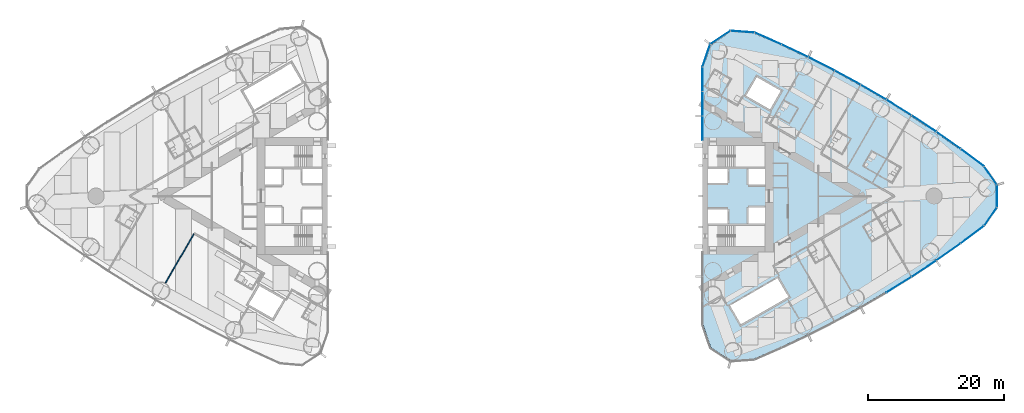
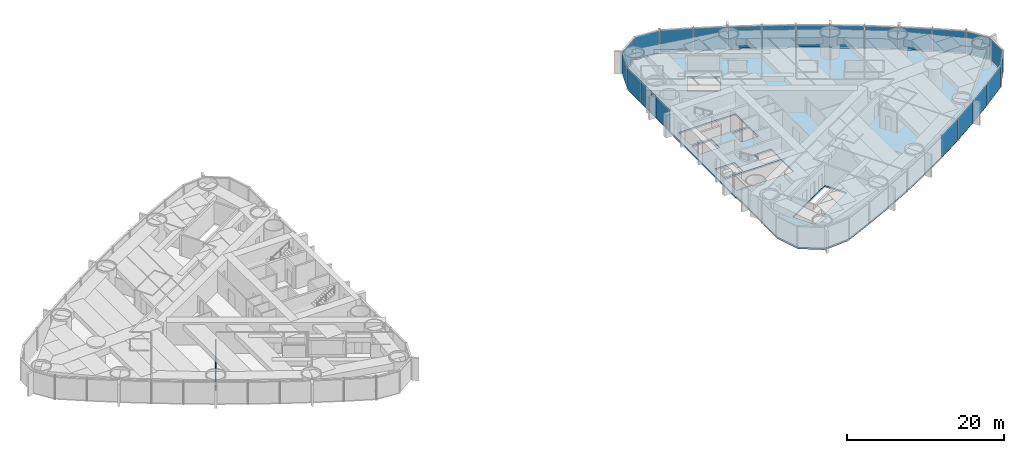
# One storey, part 10 of 18: 22 plates, 1 slab, 1 wall, 1 element without a shape of its own.
"""IFC4 building model written with IfcOpenShell, lengths in metres."""

from ifc_helpers import new_model, si_unit, direction, frame, frame_2d, origin, origin_2d, place, context, subcontext, project, spatial, polyline, rectangle, outline, extrude, material, layer, layer_set, type_object, element, aggregate, save


model = new_model("IFC4")

# Units and contexts
model_context = context("Model", 3, precision=1e-05, world=origin(), true_north=direction((0.0, 1.0)))
body_context = subcontext(model_context, "Body", "Model", "MODEL_VIEW")
ifc_project = project(units=[si_unit("LENGTHUNIT", "METRE"), si_unit("AREAUNIT", "SQUARE_METRE"), si_unit("VOLUMEUNIT", "CUBIC_METRE"), si_unit("PLANEANGLEUNIT", "RADIAN"), si_unit("MASSUNIT", "GRAM", prefix="KILO")], contexts=[model_context])

# Site, building, storey
site_placement = place(None, origin())
site = spatial("IfcSite", under=ifc_project, at=site_placement, CompositionType="ELEMENT")
building_placement = place(site_placement, origin())
building = spatial("IfcBuilding", under=site, at=building_placement, Name="Lancet Gate Hotel", CompositionType="ELEMENT")
storey_placement = place(building_placement, frame((0.0, 0.0, 118.60009765625)))
storey = spatial("IfcBuildingStorey", under=building, at=storey_placement, Name="L31", CompositionType="ELEMENT", Elevation=118.60009765625)

# Slab
ifc_material_1 = material(Name="Concrete C50/60", Category="concrete")
ifc_layer_1 = layer(ifc_material_1, 0.25)
ifc_layer_set_1 = layer_set([ifc_layer_1], Name="Floor slab 250")
slab_type = type_object("IfcSlabType", Name="Floor slab 250", PredefinedType="FLOOR", material=ifc_layer_set_1)
slab_placement = place(storey_placement, frame((0.0, 0.0, -0.25)))
element("IfcSlab", 1, at=slab_placement, inside=storey, type_object=slab_type, Name="T2 L31 floor slab", PredefinedType="FLOOR", context=body_context, shape_type="SweptSolid", body=[
    extrude(outline(polyline([(27.5, -8.60009765625), (27.6201171875, -8.60009765625), (27.6201171875, -18.923095703125), (28.7451171875, -22.22412109375), (31.63427734375, -24.1396484375), (35.112060546875, -23.890869140625), (39.0712890625, -22.150634765625), (42.996826171875, -20.29052734375), (46.867919921875, -18.31982421875), (50.681640625, -16.23974609375), (54.4345703125, -14.052490234375), (58.123779296875, -11.75927734375), (61.74658203125, -9.362548828125), (65.2998046875, -6.863525390625), (68.7666015625, -4.275390625), (70.627197265625, -1.6142578125), (70.627197265625, 1.6142578125), (68.7666015625, 4.275390625), (65.2998046875, 6.863525390625), (61.74658203125, 9.362548828125), (58.123779296875, 11.75927734375), (54.4345703125, 14.052490234375), (50.681640625, 16.23974609375), (46.867919921875, 18.31982421875), (42.996826171875, 20.29052734375), (39.0712890625, 22.150634765625), (35.112060546875, 23.890869140625), (31.63427734375, 24.1396484375), (28.7451171875, 22.22412109375), (27.6201171875, 18.923095703125), (27.6201171875, 8.60009765625), (27.5, 8.60009765625), (27.5, 8.199951171875), (27.5, -8.199951171875), (27.5, -8.60009765625)]), holes=[polyline([(36.699951171875, -7.39990234375), (36.699951171875, -4.300048828125), (28.300048828125, -4.300048828125), (28.300048828125, -7.39990234375), (36.699951171875, -7.39990234375)]), polyline([(28.300048828125, -4.0), (31.199951171875, -4.0), (31.199951171875, -1.89990234375), (28.300048828125, -1.89990234375), (28.300048828125, -4.0)]), polyline([(34.25, -4.0), (36.699951171875, -4.0), (36.699951171875, -1.64990234375), (34.25, -1.64990234375), (34.25, -4.0)]), polyline([(36.699951171875, 1.64990234375), (36.699951171875, 4.0), (34.25, 4.0), (34.25, 1.64990234375), (36.699951171875, 1.64990234375)]), polyline([(28.300048828125, 1.89990234375), (31.199951171875, 1.89990234375), (31.199951171875, 4.0), (28.300048828125, 4.0), (28.300048828125, 1.89990234375)]), polyline([(28.300048828125, 4.300048828125), (36.699951171875, 4.300048828125), (36.699951171875, 7.39990234375), (28.300048828125, 7.39990234375), (28.300048828125, 4.300048828125)]), polyline([(31.549072265625, -16.0810546875), (33.14892578125, -18.85205078125), (40.1640625, -14.802001953125), (38.56396484375, -12.031005859375), (31.549072265625, -16.0810546875)]), polyline([(33.887939453125, 14.73095703125), (37.43798828125, 12.680908203125), (39.0380859375, 15.451904296875), (35.488037109375, 17.501953125), (33.887939453125, 14.73095703125)])]), origin(), (0.0, 0.0, 1.0), 0.25),
])

# Curtain wall, plates
ifc_material_2 = material(Name="Aluminium curtain wall", Category="aluminium")
curtain_wall_type = type_object("IfcCurtainWallType", Name="Tower unitised curtain wall", PredefinedType="USERDEFINED", material=ifc_material_2)
curtain_wall_placement = place(storey_placement, origin())
curtain_wall = element("IfcCurtainWall", 2, at=curtain_wall_placement, inside=storey, type_object=curtain_wall_type, Name="T2 L31 curtain wall 1", ObjectType="UNITISED CURTAIN WALL", PredefinedType="USERDEFINED")
ifc_material_3 = material(Name="Glass double glazed unit 8-16-6", Category="glass")
ifc_layer_2 = layer(ifc_material_3, 0.030029296875)
ifc_layer_set_2 = layer_set([ifc_layer_2], Name="Vision panel double glazed")
plate_type = type_object("IfcPlateType", Name="Vision panel double glazed", PredefinedType="CURTAIN_PANEL", material=ifc_layer_set_2)
plate_1_placement = place(storey_placement, frame((56.342529296875, -13.0078125, -0.000244140625), z_axis=(0.0, 0.0, 1.0), x_axis=(0.849317759497, 0.527881940781, 0.0)))
plate_1 = element("IfcPlate", 3, at=plate_1_placement, type_object=plate_type, Name="T2 L31 curtain wall 1 panel 12", PredefinedType="CURTAIN_PANEL", context=body_context, shape_type="SweptSolid", body=[
    extrude(rectangle(XDim=4.2822265625, YDim=0.030029296875, at=origin_2d()), origin(), (0.0, 0.0, 1.0), 3.35009765625),
])
plate_2_placement = place(storey_placement, frame((60.00146484375, -10.660888671875, -0.000244140625), z_axis=(0.0, 0.0, 1.0), x_axis=(0.83398495346, 0.551787184885, 0.0)))
plate_2 = element("IfcPlate", 4, at=plate_2_placement, type_object=plate_type, Name="T2 L31 curtain wall 1 panel 13", PredefinedType="CURTAIN_PANEL", context=body_context, shape_type="SweptSolid", body=[
    extrude(rectangle(XDim=4.2822265625, YDim=0.030029296875, at=origin_2d()), origin(), (0.0, 0.0, 1.0), 3.35009765625),
])
plate_3_placement = place(storey_placement, frame((63.59228515625, -8.211181640625, -0.000244140625), z_axis=(0.0, 0.0, 1.0), x_axis=(0.817979492167, 0.57524738191, 0.0)))
plate_3 = element("IfcPlate", 5, at=plate_3_placement, type_object=plate_type, Name="T2 L31 curtain wall 1 panel 14", PredefinedType="CURTAIN_PANEL", context=body_context, shape_type="SweptSolid", body=[
    extrude(rectangle(XDim=4.2822265625, YDim=0.030029296875, at=origin_2d()), origin(), (0.0, 0.0, 1.0), 3.35009765625),
])
plate_4_placement = place(storey_placement, frame((67.112060546875, -5.660400390625, -0.000244140625), z_axis=(0.0, 0.0, 1.0), x_axis=(0.801314284905, 0.598243609917, 0.0)))
plate_4 = element("IfcPlate", 6, at=plate_4_placement, type_object=plate_type, Name="T2 L31 curtain wall 1 panel 15", PredefinedType="CURTAIN_PANEL", context=body_context, shape_type="SweptSolid", body=[
    extrude(rectangle(XDim=4.2822265625, YDim=0.030029296875, at=origin_2d()), origin(), (0.0, 0.0, 1.0), 3.35009765625),
])
plate_5_placement = place(storey_placement, frame((69.800537109375, -3.006103515625, -0.000244140625), z_axis=(0.0, 0.0, 1.0), x_axis=(0.573025075425, 0.819537834962, 0.0)))
plate_5 = element("IfcPlate", 7, at=plate_5_placement, type_object=plate_type, Name="T2 L31 curtain wall 1 panel 16", PredefinedType="CURTAIN_PANEL", context=body_context, shape_type="SweptSolid", body=[
    extrude(rectangle(XDim=3.2392578125, YDim=0.030029296875, at=origin_2d()), origin(), (0.0, 0.0, 1.0), 3.35009765625),
])
plate_6_placement = place(storey_placement, frame((70.747314453125, 0.0, -0.000244140625), z_axis=(0.0, 0.0, 1.0), x_axis=(0.0, 1.0, 0.0)))
plate_6 = element("IfcPlate", 8, at=plate_6_placement, type_object=plate_type, Name="T2 L31 curtain wall 1 panel 17", PredefinedType="CURTAIN_PANEL", context=body_context, shape_type="SweptSolid", body=[
    extrude(rectangle(XDim=3.2392578125, YDim=0.030029296875, at=origin_2d()), origin(), (0.0, 0.0, 1.0), 3.35009765625),
])
plate_7_placement = place(storey_placement, frame((69.800537109375, 3.006103515625, -0.000244140625), z_axis=(0.0, 0.0, 1.0), x_axis=(-0.573025075425, 0.819537834962, 0.0)))
plate_7 = element("IfcPlate", 9, at=plate_7_placement, type_object=plate_type, Name="T2 L31 curtain wall 1 panel 18", PredefinedType="CURTAIN_PANEL", context=body_context, shape_type="SweptSolid", body=[
    extrude(rectangle(XDim=3.2392578125, YDim=0.030029296875, at=origin_2d()), origin(), (0.0, 0.0, 1.0), 3.35009765625),
])
plate_8_placement = place(storey_placement, frame((67.112060546875, 5.660400390625, -0.000244140625), z_axis=(0.0, 0.0, 1.0), x_axis=(-0.801314284905, 0.598243609917, 0.0)))
plate_8 = element("IfcPlate", 10, at=plate_8_placement, type_object=plate_type, Name="T2 L31 curtain wall 1 panel 19", PredefinedType="CURTAIN_PANEL", context=body_context, shape_type="SweptSolid", body=[
    extrude(rectangle(XDim=4.2822265625, YDim=0.030029296875, at=origin_2d()), origin(), (0.0, 0.0, 1.0), 3.35009765625),
])
plate_9_placement = place(storey_placement, frame((63.59228515625, 8.211181640625, -0.000244140625), z_axis=(0.0, 0.0, 1.0), x_axis=(-0.817979492167, 0.57524738191, 0.0)))
plate_9 = element("IfcPlate", 11, at=plate_9_placement, type_object=plate_type, Name="T2 L31 curtain wall 1 panel 20", PredefinedType="CURTAIN_PANEL", context=body_context, shape_type="SweptSolid", body=[
    extrude(rectangle(XDim=4.2822265625, YDim=0.030029296875, at=origin_2d()), origin(), (0.0, 0.0, 1.0), 3.35009765625),
])
plate_10_placement = place(storey_placement, frame((60.00146484375, 10.660888671875, -0.000244140625), z_axis=(0.0, 0.0, 1.0), x_axis=(-0.83398495346, 0.551787184885, 0.0)))
plate_10 = element("IfcPlate", 12, at=plate_10_placement, type_object=plate_type, Name="T2 L31 curtain wall 1 panel 21", PredefinedType="CURTAIN_PANEL", context=body_context, shape_type="SweptSolid", body=[
    extrude(rectangle(XDim=4.2822265625, YDim=0.030029296875, at=origin_2d()), origin(), (0.0, 0.0, 1.0), 3.35009765625),
])
plate_11_placement = place(storey_placement, frame((56.342529296875, 13.0078125, -0.000244140625), z_axis=(0.0, 0.0, 1.0), x_axis=(-0.849317759497, 0.527881940781, 0.0)))
plate_11 = element("IfcPlate", 13, at=plate_11_placement, type_object=plate_type, Name="T2 L31 curtain wall 1 panel 22", PredefinedType="CURTAIN_PANEL", context=body_context, shape_type="SweptSolid", body=[
    extrude(rectangle(XDim=4.2822265625, YDim=0.030029296875, at=origin_2d()), origin(), (0.0, 0.0, 1.0), 3.35009765625),
])
plate_12_placement = place(storey_placement, frame((52.618408203125, 15.249755859375, -0.000244140625), z_axis=(0.0, 0.0, 1.0), x_axis=(-0.863965543499, 0.503550930538, 0.0)))
plate_12 = element("IfcPlate", 14, at=plate_12_placement, type_object=plate_type, Name="T2 L31 curtain wall 1 panel 23", PredefinedType="CURTAIN_PANEL", context=body_context, shape_type="SweptSolid", body=[
    extrude(rectangle(XDim=4.2822265625, YDim=0.030029296875, at=origin_2d()), origin(), (0.0, 0.0, 1.0), 3.35009765625),
])
plate_13_placement = place(storey_placement, frame((48.832275390625, 17.38525390625, -0.000244140625), z_axis=(0.0, 0.0, 1.0), x_axis=(-0.877916491224, 0.478813778454, 0.0)))
plate_13 = element("IfcPlate", 15, at=plate_13_placement, type_object=plate_type, Name="T2 L31 curtain wall 1 panel 24", PredefinedType="CURTAIN_PANEL", context=body_context, shape_type="SweptSolid", body=[
    extrude(rectangle(XDim=4.2822265625, YDim=0.030029296875, at=origin_2d()), origin(), (0.0, 0.0, 1.0), 3.35009765625),
])
plate_14_placement = place(storey_placement, frame((44.98681640625, 19.412109375, -0.000244140625), z_axis=(0.0, 0.0, 1.0), x_axis=(-0.891159350462, 0.453690436403, 0.0)))
plate_14 = element("IfcPlate", 16, at=plate_14_placement, type_object=plate_type, Name="T2 L31 curtain wall 1 panel 25", PredefinedType="CURTAIN_PANEL", context=body_context, shape_type="SweptSolid", body=[
    extrude(rectangle(XDim=4.2822265625, YDim=0.030029296875, at=origin_2d()), origin(), (0.0, 0.0, 1.0), 3.35009765625),
])
plate_15_placement = place(storey_placement, frame((41.08544921875, 21.3291015625, -0.000244140625), z_axis=(0.0, 0.0, 1.0), x_axis=(-0.903683440096, 0.428201167789, 0.0)))
plate_15 = element("IfcPlate", 17, at=plate_15_placement, type_object=plate_type, Name="T2 L31 curtain wall 1 panel 26", PredefinedType="CURTAIN_PANEL", context=body_context, shape_type="SweptSolid", body=[
    extrude(rectangle(XDim=4.2822265625, YDim=0.030029296875, at=origin_2d()), origin(), (0.0, 0.0, 1.0), 3.35009765625),
])
plate_16_placement = place(storey_placement, frame((37.13134765625, 23.13427734375, -0.000244140625), z_axis=(0.0, 0.0, 1.0), x_axis=(-0.915478658759, 0.40236653111, 0.0)))
plate_16 = element("IfcPlate", 18, at=plate_16_placement, type_object=plate_type, Name="T2 L31 curtain wall 1 panel 27", PredefinedType="CURTAIN_PANEL", context=body_context, shape_type="SweptSolid", body=[
    extrude(rectangle(XDim=4.2822265625, YDim=0.030029296875, at=origin_2d()), origin(), (0.0, 0.0, 1.0), 3.35009765625),
])
plate_17_placement = place(storey_placement, frame((33.37158203125, 24.1357421875, -0.000244140625), z_axis=(0.0, 0.0, 1.0), x_axis=(-0.997448492935, 0.07138980278, 0.0)))
plate_17 = element("IfcPlate", 19, at=plate_17_placement, type_object=plate_type, Name="T2 L31 curtain wall 1 panel 28", PredefinedType="CURTAIN_PANEL", context=body_context, shape_type="SweptSolid", body=[
    extrude(rectangle(XDim=3.4833984375, YDim=0.030029296875, at=origin_2d()), origin(), (0.0, 0.0, 1.0), 3.35009765625),
])
plate_18_placement = place(storey_placement, frame((30.123291015625, 23.281982421875, -0.000244140625), z_axis=(0.0, 0.0, 1.0), x_axis=(-0.833464516611, -0.552572981198, 0.0)))
plate_18 = element("IfcPlate", 20, at=plate_18_placement, type_object=plate_type, Name="T2 L31 curtain wall 1 panel 29", PredefinedType="CURTAIN_PANEL", context=body_context, shape_type="SweptSolid", body=[
    extrude(rectangle(XDim=3.4833984375, YDim=0.030029296875, at=origin_2d()), origin(), (0.0, 0.0, 1.0), 3.35009765625),
])
plate_19_placement = place(storey_placement, frame((28.072265625, 20.622314453125, -0.000244140625), z_axis=(0.0, 0.0, 1.0), x_axis=(-0.32257568891, -0.946543673015, 0.0)))
plate_19 = element("IfcPlate", 21, at=plate_19_placement, type_object=plate_type, Name="T2 L31 curtain wall 1 panel 30", PredefinedType="CURTAIN_PANEL", context=body_context, shape_type="SweptSolid", body=[
    extrude(rectangle(XDim=3.4833984375, YDim=0.030029296875, at=origin_2d()), origin(), (0.0, 0.0, 1.0), 3.35009765625),
])
plate_20_placement = place(storey_placement, frame((27.5, 17.15234375, -0.000244140625), z_axis=(0.0, 0.0, 1.0), x_axis=(0.0, -1.0, 0.0)))
plate_20 = element("IfcPlate", 22, at=plate_20_placement, type_object=plate_type, Name="T2 L31 curtain wall 1 panel 31", PredefinedType="CURTAIN_PANEL", context=body_context, shape_type="SweptSolid", body=[
    extrude(rectangle(XDim=3.515869140625, YDim=0.030029296875, at=origin_2d()), origin(), (0.0, 0.0, 1.0), 3.35009765625),
])
plate_21_placement = place(storey_placement, frame((27.5, 13.571533203125, -0.000244140625), z_axis=(0.0, 0.0, 1.0), x_axis=(0.0, -1.0, 0.0)))
plate_21 = element("IfcPlate", 23, at=plate_21_placement, type_object=plate_type, Name="T2 L31 curtain wall 1 panel 32", PredefinedType="CURTAIN_PANEL", context=body_context, shape_type="SweptSolid", body=[
    extrude(rectangle(XDim=3.515869140625, YDim=0.030029296875, at=origin_2d()), origin(), (0.0, 0.0, 1.0), 3.35009765625),
])
plate_22_placement = place(storey_placement, frame((27.5, 9.990478515625, -0.000244140625), z_axis=(0.0, 0.0, 1.0), x_axis=(0.0, -1.0, 0.0)))
plate_22 = element("IfcPlate", 24, at=plate_22_placement, type_object=plate_type, Name="T2 L31 curtain wall 1 panel 33", PredefinedType="CURTAIN_PANEL", context=body_context, shape_type="SweptSolid", body=[
    extrude(rectangle(XDim=3.515869140625, YDim=0.030029296875, at=origin_2d()), origin(), (0.0, 0.0, 1.0), 3.35009765625),
])
aggregate(curtain_wall, [plate_1, plate_2, plate_3, plate_4, plate_5, plate_6, plate_7, plate_8, plate_9, plate_10, plate_11, plate_12, plate_13, plate_14, plate_15, plate_16, plate_17, plate_18, plate_19, plate_20, plate_21, plate_22])

# Wall
ifc_material_4 = material(Name="Gypsum board partition")
ifc_layer_3 = layer(ifc_material_4, 0.14990234375)
ifc_layer_set_3 = layer_set([ifc_layer_3], Name="Party wall 150")
wall_type = type_object("IfcWallType", Name="Party wall 150", PredefinedType="PARTITIONING", material=ifc_layer_set_3)
wall_placement = place(storey_placement, frame((-47.151123046875, -5.552490234375, 0.0), z_axis=(0.0, 0.0, 1.0), x_axis=(-0.500003012045, -0.866023664773, 0.0)))
element("IfcWall", 25, at=wall_placement, inside=storey, type_object=wall_type, Name="T1 party wall 150 L31", PredefinedType="PARTITIONING", context=body_context, shape_type="SweptSolid", body=[
    extrude(rectangle(XDim=8.31103515625, YDim=0.14990234375, at=frame_2d((4.155517578125, 0.0))), origin(), (0.0, 0.0, 1.0), 2.199951171875),
])

save(model, "model.ifc")
